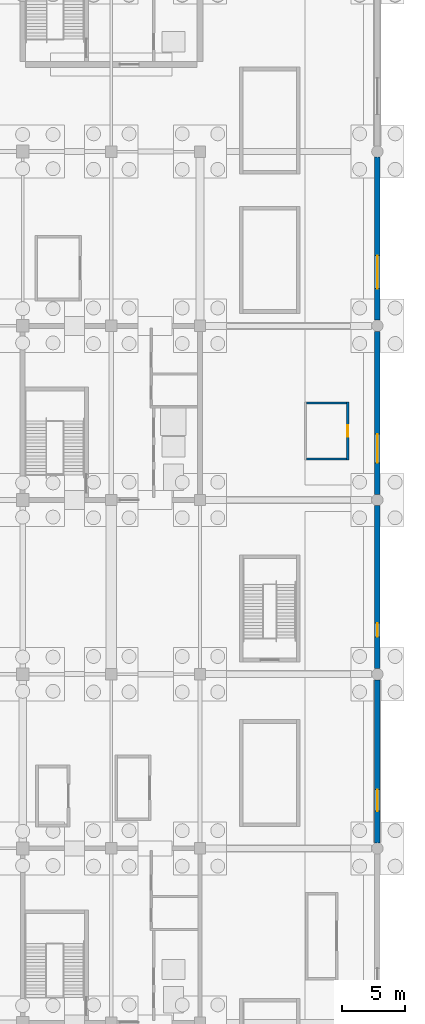
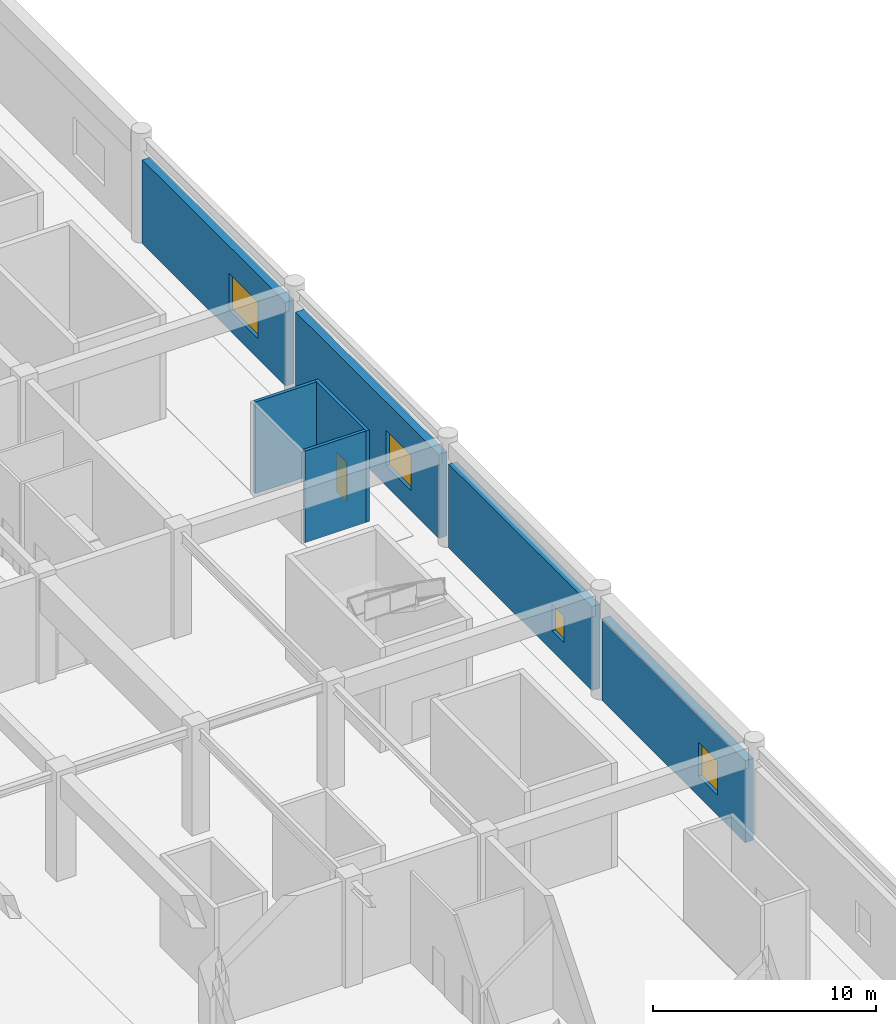
# One storey, part 46 of 62: 7 walls, 4 windows, 1 door, 5 openings.
"""IFC4 building model written with IfcOpenShell, lengths in metres."""

from ifc_helpers import new_model, si_unit, direction, frame, frame_2d, origin, place, context, subcontext, project, spatial, rectangle, extrude, material, layer, layer_set, type_object, element, fill, save


model = new_model("IFC4")

# Units and contexts
model_context = context("Model", 3, precision=1e-05, world=origin(), true_north=direction((0.0, 1.0)))
body_context = subcontext(model_context, "Body", "Model", "MODEL_VIEW")
ifc_project = project(units=[si_unit("LENGTHUNIT", "METRE"), si_unit("AREAUNIT", "SQUARE_METRE"), si_unit("VOLUMEUNIT", "CUBIC_METRE"), si_unit("PLANEANGLEUNIT", "RADIAN"), si_unit("MASSUNIT", "GRAM", prefix="KILO")], contexts=[model_context])

# Site, building, storey
site_placement = place(None, origin())
site = spatial("IfcSite", under=ifc_project, at=site_placement, CompositionType="ELEMENT")
building_placement = place(site_placement, origin())
building = spatial("IfcBuilding", under=site, at=building_placement, Name="Linyun Crest Stadium", CompositionType="ELEMENT")
storey_placement = place(building_placement, frame((0.0, 0.0, -6.0)))
storey = spatial("IfcBuildingStorey", under=building, at=storey_placement, Name="B1", CompositionType="ELEMENT", Elevation=-6.0)

# Wall, opening, window
ifc_material_1 = material(Name="Concrete C40 basement retaining envelope wall", Category="concrete")
ifc_layer_1 = layer(ifc_material_1, 0.419921875)
ifc_layer_set_1 = layer_set([ifc_layer_1], Name="Concrete C40 basement retaining envelope wall")
wall_type_1 = type_object("IfcWallType", Name="EW08", PredefinedType="SOLIDWALL", material=ifc_layer_set_1)
wall_1_placement = place(storey_placement, frame((98.0, -24.93505859375, 0.0), z_axis=(0.0, 0.0, 1.0), x_axis=(0.0, 1.0, 0.0)))
wall_1 = element("IfcWall", 1, at=wall_1_placement, inside=storey, type_object=wall_type_1, Name="Exterior wall EW08 B1 7", PredefinedType="SOLIDWALL", context=body_context, shape_type="SweptSolid", body=[
    extrude(rectangle(XDim=12.8701171875, YDim=0.419921875, at=frame_2d((6.43505859375, 0.0))), origin(), (0.0, 0.0, 1.0), 4.4951171875),
])
opening_1_placement = place(wall_1_placement, frame((2.5, 0.0, 1.10009765625)))
opening_1 = element("IfcOpeningElement", 2, at=opening_1_placement, cuts=wall_1, Name="Opening WN14", PredefinedType="OPENING", context=body_context, shape_type="SweptSolid", body=[
    extrude(rectangle(XDim=1.699951171875, YDim=1.85009765625, at=frame_2d((0.85009765625, 0.925048828125))), frame((0.0, 0.219970703125, 0.0), z_axis=(0.0, -1.0, 0.0), x_axis=(1.0, 0.0, 0.0)), (0.0, 0.0, 1.0), 0.43994140625),
])
ifc_material_2 = material(Name="Concourse arched sidelight")
ifc_layer_2 = layer(ifc_material_2, 0.06005859375)
ifc_layer_set_2 = layer_set([ifc_layer_2], Name="Concourse arched sidelight")
window_type_1 = type_object("IfcWindowType", Name="WN14", PartitioningType="SINGLE_PANEL", PredefinedType="WINDOW", material=ifc_layer_set_2)
window_1_placement = place(opening_1_placement, origin())
window_1 = element("IfcWindow", 3, at=window_1_placement, inside=storey, type_object=window_type_1, Name="Window WN14 B1 9", OverallHeight=1.85009765625, OverallWidth=1.699951171875, PartitioningType="SINGLE_PANEL", PredefinedType="WINDOW", context=body_context, shape_type="SweptSolid", body=[
    extrude(rectangle(XDim=1.699951171875, YDim=1.85009765625, at=frame_2d((0.85009765625, 0.925048828125))), frame((0.0, 0.030029296875, 0.0), z_axis=(0.0, -1.0, 0.0), x_axis=(1.0, 0.0, 0.0)), (0.0, 0.0, 1.0), 0.06005859375),
])
fill(opening_1, window_1)

wall_2_placement = place(storey_placement, frame((98.0, -11.18505859375, 0.0), z_axis=(0.0, 0.0, 1.0), x_axis=(0.0, 1.0, 0.0)))
wall_2 = element("IfcWall", 4, at=wall_2_placement, inside=storey, type_object=wall_type_1, Name="Exterior wall EW08 B1 11", PredefinedType="SOLIDWALL", context=body_context, shape_type="SweptSolid", body=[
    extrude(rectangle(XDim=12.8701171875, YDim=0.419921875, at=frame_2d((6.43505859375, 0.0))), origin(), (0.0, 0.0, 1.0), 4.594970703125),
])
opening_2_placement = place(wall_2_placement, frame((2.5, 0.0, 1.10009765625)))
opening_2 = element("IfcOpeningElement", 5, at=opening_2_placement, cuts=wall_2, Name="Opening WN15", PredefinedType="OPENING", context=body_context, shape_type="SweptSolid", body=[
    extrude(rectangle(XDim=1.10009765625, YDim=1.449951171875, at=frame_2d((0.550048828125, 0.72509765625))), frame((0.0, 0.219970703125, 0.0), z_axis=(0.0, -1.0, 0.0), x_axis=(1.0, 0.0, 0.0)), (0.0, 0.0, 1.0), 0.43994140625),
])
ifc_material_3 = material(Name="Operable dressing-suite clerestory")
ifc_layer_3 = layer(ifc_material_3, 0.06005859375)
ifc_layer_set_3 = layer_set([ifc_layer_3], Name="Operable dressing-suite clerestory")
window_type_2 = type_object("IfcWindowType", Name="WN15", PartitioningType="SINGLE_PANEL", PredefinedType="WINDOW", material=ifc_layer_set_3)
window_2_placement = place(opening_2_placement, origin())
window_2 = element("IfcWindow", 6, at=window_2_placement, inside=storey, type_object=window_type_2, Name="Window WN15 B1 13", OverallHeight=1.449951171875, OverallWidth=1.10009765625, PartitioningType="SINGLE_PANEL", PredefinedType="WINDOW", context=body_context, shape_type="SweptSolid", body=[
    extrude(rectangle(XDim=1.10009765625, YDim=1.449951171875, at=frame_2d((0.550048828125, 0.72509765625))), frame((0.0, 0.030029296875, 0.0), z_axis=(0.0, -1.0, 0.0), x_axis=(1.0, 0.0, 0.0)), (0.0, 0.0, 1.0), 0.06005859375),
])
fill(opening_2, window_2)

wall_3_placement = place(storey_placement, frame((98.0, 2.56494140625, 0.0), z_axis=(0.0, 0.0, 1.0), x_axis=(0.0, 1.0, 0.0)))
wall_3 = element("IfcWall", 7, at=wall_3_placement, inside=storey, type_object=wall_type_1, Name="Exterior wall EW08 B1 15", PredefinedType="SOLIDWALL", context=body_context, shape_type="SweptSolid", body=[
    extrude(rectangle(XDim=12.8701171875, YDim=0.419921875, at=frame_2d((6.43505859375, 0.0))), origin(), (0.0, 0.0, 1.0), 4.594970703125),
])
opening_3_placement = place(wall_3_placement, frame((2.5, 0.0, 1.10009765625)))
opening_3 = element("IfcOpeningElement", 8, at=opening_3_placement, cuts=wall_3, Name="Opening WN16", PredefinedType="OPENING", context=body_context, shape_type="SweptSolid", body=[
    extrude(rectangle(XDim=2.25, YDim=1.949951171875, at=frame_2d((1.125, 0.97509765625))), frame((0.0, 0.219970703125, 0.0), z_axis=(0.0, -1.0, 0.0), x_axis=(1.0, 0.0, 0.0)), (0.0, 0.0, 1.0), 0.43994140625),
])
ifc_material_4 = material(Name="Pavilion mullioned vision window")
ifc_layer_4 = layer(ifc_material_4, 0.06005859375)
ifc_layer_set_4 = layer_set([ifc_layer_4], Name="Pavilion mullioned vision window")
window_type_3 = type_object("IfcWindowType", Name="WN16", PartitioningType="SINGLE_PANEL", PredefinedType="WINDOW", material=ifc_layer_set_4)
window_3_placement = place(opening_3_placement, origin())
window_3 = element("IfcWindow", 9, at=window_3_placement, inside=storey, type_object=window_type_3, Name="Window WN16 B1 18", OverallHeight=1.949951171875, OverallWidth=2.25, PartitioningType="SINGLE_PANEL", PredefinedType="WINDOW", context=body_context, shape_type="SweptSolid", body=[
    extrude(rectangle(XDim=2.25, YDim=1.949951171875, at=frame_2d((1.125, 0.97509765625))), frame((0.0, 0.030029296875, 0.0), z_axis=(0.0, -1.0, 0.0), x_axis=(1.0, 0.0, 0.0)), (0.0, 0.0, 1.0), 0.06005859375),
])
fill(opening_3, window_3)

wall_4_placement = place(storey_placement, frame((98.0, 16.31494140625, 0.0), z_axis=(0.0, 0.0, 1.0), x_axis=(0.0, 1.0, 0.0)))
wall_4 = element("IfcWall", 10, at=wall_4_placement, inside=storey, type_object=wall_type_1, Name="Exterior wall EW08 B1 19", PredefinedType="SOLIDWALL", context=body_context, shape_type="SweptSolid", body=[
    extrude(rectangle(XDim=12.8701171875, YDim=0.419921875, at=frame_2d((6.43505859375, 0.0))), origin(), (0.0, 0.0, 1.0), 4.594970703125),
])
opening_4_placement = place(wall_4_placement, frame((2.5, 0.0, 1.10009765625)))
opening_4 = element("IfcOpeningElement", 11, at=opening_4_placement, cuts=wall_4, Name="Opening WN17", PredefinedType="OPENING", context=body_context, shape_type="SweptSolid", body=[
    extrude(rectangle(XDim=2.60009765625, YDim=2.0, at=frame_2d((1.300048828125, 1.0))), frame((0.0, 0.219970703125, 0.0), z_axis=(0.0, -1.0, 0.0), x_axis=(1.0, 0.0, 0.0)), (0.0, 0.0, 1.0), 0.43994140625),
])
ifc_material_5 = material(Name="Fitness studio tall daylight window")
ifc_layer_5 = layer(ifc_material_5, 0.06494140625)
ifc_layer_set_5 = layer_set([ifc_layer_5], Name="Fitness studio tall daylight window")
window_type_4 = type_object("IfcWindowType", Name="WN17", PartitioningType="SINGLE_PANEL", PredefinedType="WINDOW", material=ifc_layer_set_5)
window_4_placement = place(opening_4_placement, origin())
window_4 = element("IfcWindow", 12, at=window_4_placement, inside=storey, type_object=window_type_4, Name="Window WN17 B1 22", OverallHeight=2.0, OverallWidth=2.60009765625, PartitioningType="SINGLE_PANEL", PredefinedType="WINDOW", context=body_context, shape_type="SweptSolid", body=[
    extrude(rectangle(XDim=2.60009765625, YDim=2.0, at=frame_2d((1.300048828125, 1.0))), frame((0.0, 0.030029296875, 0.0), z_axis=(0.0, -1.0, 0.0), x_axis=(1.0, 0.0, 0.0)), (0.0, 0.0, 1.0), 0.06005859375),
])
fill(opening_4, window_4)

# Wall, opening, door
ifc_material_6 = material(Name="Double steel-stud acoustic fire partition", Category="steel")
ifc_layer_6 = layer(ifc_material_6, 0.1650390625)
ifc_layer_set_6 = layer_set([ifc_layer_6], Name="Double steel-stud acoustic fire partition")
wall_type_2 = type_object("IfcWallType", Name="PW13", PredefinedType="PARTITIONING", material=ifc_layer_set_6)
wall_5_placement = place(storey_placement, frame((95.6630859375, 9.867919921875, 0.0), z_axis=(0.0, 0.0, 1.0), x_axis=(0.0, -1.0, 0.0)))
wall_5 = element("IfcWall", 13, at=wall_5_placement, inside=storey, type_object=wall_type_2, Name="Partition PW13 B1 148", PredefinedType="PARTITIONING", context=body_context, shape_type="SweptSolid", body=[
    extrude(rectangle(XDim=4.599853515625, YDim=0.1650390625, at=frame_2d((2.2998046875, 0.0))), origin(), (0.0, 0.0, 1.0), 5.02001953125),
])
opening_5_placement = place(wall_5_placement, frame((1.85009765625, 0.0, 0.0)))
opening_5 = element("IfcOpeningElement", 14, at=opening_5_placement, cuts=wall_5, Name="Opening D-B1-411", PredefinedType="OPENING", context=body_context, shape_type="SweptSolid", body=[
    extrude(rectangle(XDim=0.89990234375, YDim=2.14990234375, at=frame_2d((0.449951171875, 1.074951171875))), frame((0.0, 0.092529296875, 0.0), z_axis=(0.0, -1.0, 0.0), x_axis=(1.0, 0.0, 0.0)), (0.0, 0.0, 1.0), 0.18505859375),
])
ifc_material_7 = material(Name="Acoustic glazed booth door")
ifc_layer_7 = layer(ifc_material_7, 0.050048828125)
ifc_layer_set_7 = layer_set([ifc_layer_7], Name="Acoustic glazed booth door")
door_type = type_object("IfcDoorType", Name="ID11", OperationType="NOTDEFINED", PredefinedType="DOOR", material=ifc_layer_set_7)
door_placement = place(opening_5_placement, origin())
door = element("IfcDoor", 15, at=door_placement, inside=storey, type_object=door_type, Name="Door D-B1-411", OperationType="SINGLE_SWING_LEFT", OverallHeight=2.14990234375, OverallWidth=0.89990234375, PredefinedType="DOOR", context=body_context, shape_type="SweptSolid", body=[
    extrude(rectangle(XDim=0.89990234375, YDim=2.14990234375, at=frame_2d((0.449951171875, 1.074951171875))), frame((0.0, 0.02490234375, 0.0), z_axis=(0.0, -1.0, 0.0), x_axis=(1.0, 0.0, 0.0)), (0.0, 0.0, 1.0), 0.050048828125),
])
fill(opening_5, door)

# Walls
for number, where, z_axis, x_axis, name in (
    (16, (92.406005859375, 5.35107421875, 0.0), (0.0, 0.0, 1.0), (1.0, 0.0, 0.0), "Enclosure partition PW13 B1 161"),
    (17, (92.406005859375, 9.784912109375, 0.0), (0.0, 0.0, 1.0), (1.0, 0.0, 0.0), "Enclosure partition PW13 B1 162"),
):
    element("IfcWall", number, at=place(storey_placement, frame(where, z_axis=z_axis, x_axis=x_axis)), inside=storey, type_object=wall_type_2, Name=name, PredefinedType="PARTITIONING", context=body_context, shape_type="SweptSolid", body=[
        extrude(rectangle(XDim=3.174072265625, YDim=0.1650390625, at=frame_2d((1.5869140625, 0.0))), origin(), (0.0, 0.0, 1.0), 5.02001953125),
    ])

save(model, "model.ifc")
